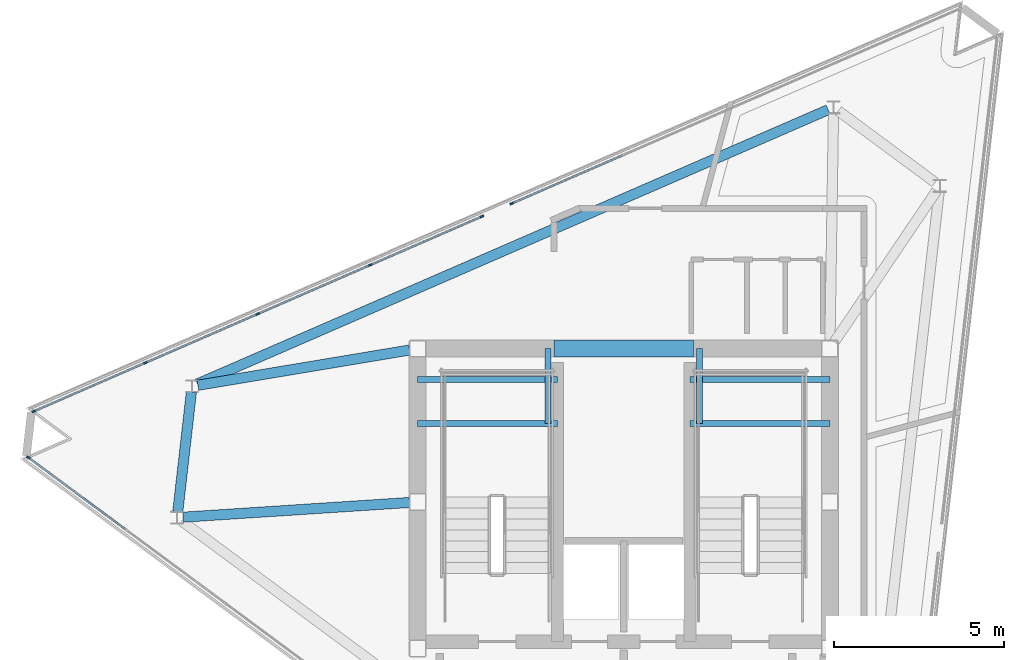
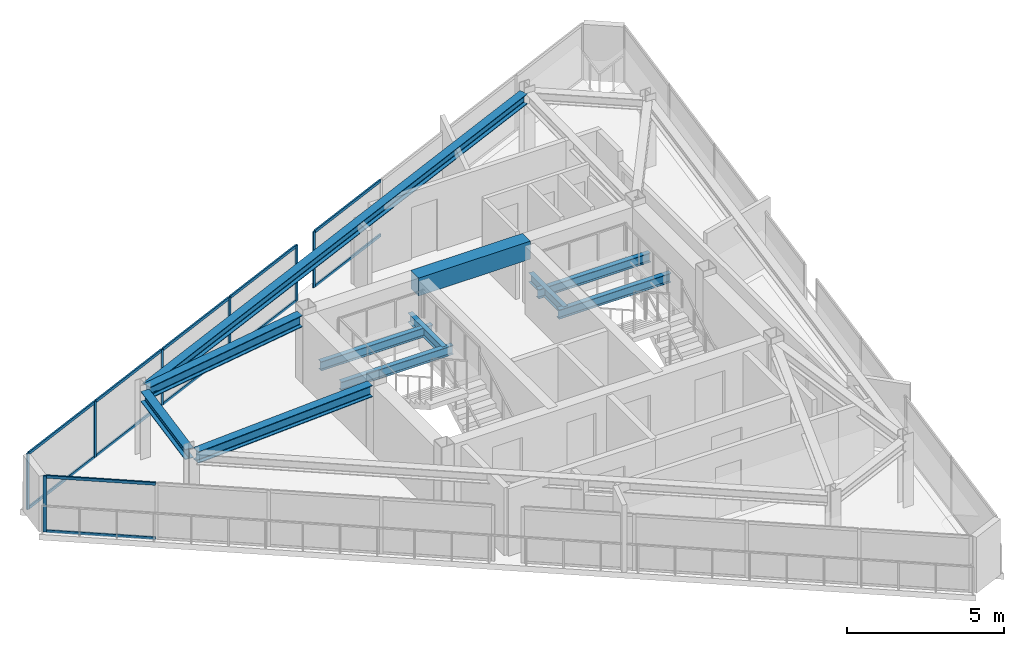
# One storey, part 4 of 9: 19 members, 11 beams, 3 elements without a shape of their own.
"""IFC4 building model written with IfcOpenShell, lengths in metres."""

from ifc_helpers import new_model, si_unit, direction, frame, origin, origin_2d, place, context, subcontext, project, spatial, rectangle, i_section, extrude, material, layer, layer_set, material_profile, profile_set, type_object, element, aggregate, save


model = new_model("IFC4")

# Units and contexts
model_context = context("Model", 3, precision=1e-05, world=origin(), true_north=direction((0.0, 1.0)))
body_context = subcontext(model_context, "Body", "Model", "MODEL_VIEW")
ifc_project = project(units=[si_unit("LENGTHUNIT", "METRE"), si_unit("AREAUNIT", "SQUARE_METRE"), si_unit("VOLUMEUNIT", "CUBIC_METRE"), si_unit("PLANEANGLEUNIT", "RADIAN"), si_unit("MASSUNIT", "GRAM", prefix="KILO")], contexts=[model_context])

# Site, building, storey
site_placement = place(None, origin())
site = spatial("IfcSite", under=ifc_project, at=site_placement, CompositionType="ELEMENT")
building_placement = place(site_placement, origin())
building = spatial("IfcBuilding", under=site, at=building_placement, Name="Rocaltana Carrier Exchange", CompositionType="ELEMENT")
storey_placement = place(building_placement, frame((0.0, 0.0, 246.239990234375)))
storey = spatial("IfcBuildingStorey", under=building, at=storey_placement, Name="L78", CompositionType="ELEMENT", Elevation=246.239990234375)

# Curtain wall, member
ifc_material_1 = material(Name="Aluminium 6063-T6", Category="aluminium")
ifc_layer = layer(ifc_material_1, 0.110107421875)
ifc_layer_set = layer_set([ifc_layer], Name="Aluminium 6063-T6")
curtain_wall_type = type_object("IfcCurtainWallType", Name="Crown Lantern Faceted Curtain Wall CW-06", PredefinedType="NOTDEFINED", material=ifc_layer_set)
curtain_wall_1_placement = place(storey_placement, origin())
curtain_wall_1 = element("IfcCurtainWall", 1, at=curtain_wall_1_placement, inside=storey, type_object=curtain_wall_type, Name="L78 CW-06 Run CW06-L78-F2S1", PredefinedType="NOTDEFINED")
ifc_material_2 = material(Name="Aluminium 6063-T6", Category="aluminium")
ifc_material_profile_1 = material_profile(ifc_material_2, rectangle(XDim=0.054931640625, YDim=0.110107421875, at=origin_2d()), Name="AL-55X110")
ifc_profile_set_1 = profile_set([ifc_material_profile_1], Name="Aluminium 6063-T6")
member_type_1 = type_object("IfcMemberType", Name="CW-06 Mullion AL-55X110", PredefinedType="MULLION", material=ifc_profile_set_1)
member_1_placement = place(storey_placement, frame((-3.288818359375, 8.761474609375, 0.0), z_axis=(0.0, 0.0, 1.0), x_axis=(0.398751504402, -0.917059015406, 0.0)))
member_1 = element("IfcMember", 2, at=member_1_placement, type_object=member_type_1, Name="CW-06 mullion 5", PredefinedType="MULLION", context=body_context, shape_type="SweptSolid", body=[
    extrude(rectangle(XDim=0.054931640625, YDim=0.110107421875, at=origin_2d()), origin(), (0.0, 0.0, 1.0), 2.16796875),
])

# Curtain wall, members
curtain_wall_2_placement = place(storey_placement, origin())
curtain_wall_2 = element("IfcCurtainWall", 3, at=curtain_wall_2_placement, inside=storey, type_object=curtain_wall_type, Name="L78 CW-06 Run CW06-L78-F2S2", PredefinedType="NOTDEFINED")
member_2_placement = place(storey_placement, frame((-4.164794921875, 8.380615234375, 0.0), z_axis=(0.0, 0.0, 1.0), x_axis=(0.398748964968, -0.917060119587, 0.0)))
member_2 = element("IfcMember", 4, at=member_2_placement, type_object=member_type_1, Name="CW-06 mullion 1", PredefinedType="MULLION", context=body_context, shape_type="SweptSolid", body=[
    extrude(rectangle(XDim=0.054931640625, YDim=0.110107421875, at=origin_2d()), origin(), (0.0, 0.0, 1.0), 2.16796875),
])
member_3_placement = place(storey_placement, frame((-7.44091796875, 6.956298828125, 0.0), z_axis=(0.0, 0.0, 1.0), x_axis=(0.398748964968, -0.917060119587, 0.0)))
member_3 = element("IfcMember", 5, at=member_3_placement, type_object=member_type_1, Name="CW-06 mullion 2", PredefinedType="MULLION", context=body_context, shape_type="SweptSolid", body=[
    extrude(rectangle(XDim=0.054931640625, YDim=0.110107421875, at=origin_2d()), origin(), (0.0, 0.0, 1.0), 2.16796875),
])
member_4_placement = place(storey_placement, frame((-10.742431640625, 5.520751953125, 0.0), z_axis=(0.0, 0.0, 1.0), x_axis=(0.398748964968, -0.917060119587, 0.0)))
member_4 = element("IfcMember", 6, at=member_4_placement, type_object=member_type_1, Name="CW-06 mullion 3", PredefinedType="MULLION", context=body_context, shape_type="SweptSolid", body=[
    extrude(rectangle(XDim=0.054931640625, YDim=0.110107421875, at=origin_2d()), origin(), (0.0, 0.0, 1.0), 2.16796875),
])
member_5_placement = place(storey_placement, frame((-14.043701171875, 4.085205078125, 0.0), z_axis=(0.0, 0.0, 1.0), x_axis=(0.398748964968, -0.917060119587, 0.0)))
member_5 = element("IfcMember", 7, at=member_5_placement, type_object=member_type_1, Name="CW-06 mullion 4", PredefinedType="MULLION", context=body_context, shape_type="SweptSolid", body=[
    extrude(rectangle(XDim=0.054931640625, YDim=0.110107421875, at=origin_2d()), origin(), (0.0, 0.0, 1.0), 2.16796875),
])
member_6_placement = place(storey_placement, frame((-17.320068359375, 2.66064453125, 0.0), z_axis=(0.0, 0.0, 1.0), x_axis=(0.398748964968, -0.917060119587, 0.0)))
member_6 = element("IfcMember", 8, at=member_6_placement, type_object=member_type_1, Name="CW-06 mullion 5", PredefinedType="MULLION", context=body_context, shape_type="SweptSolid", body=[
    extrude(rectangle(XDim=0.054931640625, YDim=0.110107421875, at=origin_2d()), origin(), (0.0, 0.0, 1.0), 2.16796875),
])

# Curtain wall, member
curtain_wall_3_placement = place(storey_placement, origin())
curtain_wall_3 = element("IfcCurtainWall", 9, at=curtain_wall_3_placement, inside=storey, type_object=curtain_wall_type, Name="L78 CW-06 Run CW06-L78-F3S1", PredefinedType="NOTDEFINED")
member_7_placement = place(storey_placement, frame((-17.474609375, 1.3037109375, 0.0), z_axis=(0.0, 0.0, 1.0), x_axis=(0.594818594609, 0.803859962623, 0.0)))
member_7 = element("IfcMember", 10, at=member_7_placement, type_object=member_type_1, Name="CW-06 mullion 1", PredefinedType="MULLION", context=body_context, shape_type="SweptSolid", body=[
    extrude(rectangle(XDim=0.054931640625, YDim=0.110107421875, at=origin_2d()), origin(), (0.0, 0.0, 1.0), 2.16796875),
])

# Member
ifc_material_3 = material(Name="Aluminium 6063-T6", Category="aluminium")
ifc_material_profile_2 = material_profile(ifc_material_3, rectangle(XDim=0.054931640625, YDim=0.110107421875, at=origin_2d()), Name="AL-55X110")
ifc_profile_set_2 = profile_set([ifc_material_profile_2], Name="Aluminium 6063-T6")
member_type_2 = type_object("IfcMemberType", Name="CW-06 Transom AL-55X110", PredefinedType="USERDEFINED", material=ifc_profile_set_2)
member_8_placement = place(storey_placement, frame((-0.037841796875, 10.175048828125, 0.027587890625), z_axis=(-0.917064538977, -0.39873880091, 0.0), x_axis=(0.39873880091, -0.917064538977, 0.0)))
member_8 = element("IfcMember", 11, at=member_8_placement, type_object=member_type_2, Name="CW-06 transom 4.1", ObjectType="TRANSOM", PredefinedType="USERDEFINED", context=body_context, shape_type="SweptSolid", body=[
    extrude(rectangle(XDim=0.054931640625, YDim=0.110107421875, at=origin_2d()), origin(), (0.0, 0.0, 1.0), 3.517578125),
])

member_9_placement = place(storey_placement, frame((-0.037841796875, 10.175048828125, 2.140625), z_axis=(-0.917064538977, -0.39873880091, 0.0), x_axis=(0.39873880091, -0.917064538977, 0.0)))
member_9 = element("IfcMember", 12, at=member_9_placement, type_object=member_type_2, Name="CW-06 transom 4.2", ObjectType="TRANSOM", PredefinedType="USERDEFINED", context=body_context, shape_type="SweptSolid", body=[
    extrude(rectangle(XDim=0.054931640625, YDim=0.110107421875, at=origin_2d()), origin(), (0.0, 0.0, 1.0), 3.517578125),
])

aggregate(curtain_wall_1, [member_1, member_8, member_9])

member_10_placement = place(storey_placement, frame((-4.18994140625, 8.369873046875, 0.027587890625), z_axis=(-0.917064538977, -0.39873880091, 0.0), x_axis=(0.39873880091, -0.917064538977, 0.0)))
member_10 = element("IfcMember", 13, at=member_10_placement, type_object=member_type_2, Name="CW-06 transom 1.1", ObjectType="TRANSOM", PredefinedType="USERDEFINED", context=body_context, shape_type="SweptSolid", body=[
    extrude(rectangle(XDim=0.054931640625, YDim=0.110107421875, at=origin_2d()), origin(), (0.0, 0.0, 1.0), 3.517578125),
])

member_11_placement = place(storey_placement, frame((-4.18994140625, 8.369873046875, 2.140625), z_axis=(-0.917064538977, -0.39873880091, 0.0), x_axis=(0.39873880091, -0.917064538977, 0.0)))
member_11 = element("IfcMember", 14, at=member_11_placement, type_object=member_type_2, Name="CW-06 transom 1.2", ObjectType="TRANSOM", PredefinedType="USERDEFINED", context=body_context, shape_type="SweptSolid", body=[
    extrude(rectangle(XDim=0.054931640625, YDim=0.110107421875, at=origin_2d()), origin(), (0.0, 0.0, 1.0), 3.517578125),
])

member_12_placement = place(storey_placement, frame((-7.466064453125, 6.9453125, 0.027587890625), z_axis=(-0.917059106947, -0.398751293874, 0.0), x_axis=(0.398751293874, -0.917059106947, 0.0)))
member_12 = element("IfcMember", 15, at=member_12_placement, type_object=member_type_2, Name="CW-06 transom 2.1", ObjectType="TRANSOM", PredefinedType="USERDEFINED", context=body_context, shape_type="SweptSolid", body=[
    extrude(rectangle(XDim=0.054931640625, YDim=0.110107421875, at=origin_2d()), origin(), (0.0, 0.0, 1.0), 3.544921875),
])

member_13_placement = place(storey_placement, frame((-7.466064453125, 6.9453125, 2.140625), z_axis=(-0.917059106947, -0.398751293874, 0.0), x_axis=(0.398751293874, -0.917059106947, 0.0)))
member_13 = element("IfcMember", 16, at=member_13_placement, type_object=member_type_2, Name="CW-06 transom 2.2", ObjectType="TRANSOM", PredefinedType="USERDEFINED", context=body_context, shape_type="SweptSolid", body=[
    extrude(rectangle(XDim=0.054931640625, YDim=0.110107421875, at=origin_2d()), origin(), (0.0, 0.0, 1.0), 3.544921875),
])

member_14_placement = place(storey_placement, frame((-10.767578125, 5.509765625, 0.027587890625), z_axis=(-0.917059106947, -0.398751293874, 0.0), x_axis=(0.398751293874, -0.917059106947, 0.0)))
member_14 = element("IfcMember", 17, at=member_14_placement, type_object=member_type_2, Name="CW-06 transom 3.1", ObjectType="TRANSOM", PredefinedType="USERDEFINED", context=body_context, shape_type="SweptSolid", body=[
    extrude(rectangle(XDim=0.054931640625, YDim=0.110107421875, at=origin_2d()), origin(), (0.0, 0.0, 1.0), 3.544921875),
])

member_15_placement = place(storey_placement, frame((-10.767578125, 5.509765625, 2.140625), z_axis=(-0.917059106947, -0.398751293874, 0.0), x_axis=(0.398751293874, -0.917059106947, 0.0)))
member_15 = element("IfcMember", 18, at=member_15_placement, type_object=member_type_2, Name="CW-06 transom 3.2", ObjectType="TRANSOM", PredefinedType="USERDEFINED", context=body_context, shape_type="SweptSolid", body=[
    extrude(rectangle(XDim=0.054931640625, YDim=0.110107421875, at=origin_2d()), origin(), (0.0, 0.0, 1.0), 3.544921875),
])

member_16_placement = place(storey_placement, frame((-14.069091796875, 4.07421875, 0.027587890625), z_axis=(-0.917053502844, -0.398764182095, 0.0), x_axis=(0.398764182095, -0.917053502844, 0.0)))
member_16 = element("IfcMember", 19, at=member_16_placement, type_object=member_type_2, Name="CW-06 transom 4.1", ObjectType="TRANSOM", PredefinedType="USERDEFINED", context=body_context, shape_type="SweptSolid", body=[
    extrude(rectangle(XDim=0.054931640625, YDim=0.110107421875, at=origin_2d()), origin(), (0.0, 0.0, 1.0), 3.517333984375),
])

member_17_placement = place(storey_placement, frame((-14.069091796875, 4.07421875, 2.140625), z_axis=(-0.917053502844, -0.398764182095, 0.0), x_axis=(0.398764182095, -0.917053502844, 0.0)))
member_17 = element("IfcMember", 20, at=member_17_placement, type_object=member_type_2, Name="CW-06 transom 4.2", ObjectType="TRANSOM", PredefinedType="USERDEFINED", context=body_context, shape_type="SweptSolid", body=[
    extrude(rectangle(XDim=0.054931640625, YDim=0.110107421875, at=origin_2d()), origin(), (0.0, 0.0, 1.0), 3.517333984375),
])

aggregate(curtain_wall_2, [member_2, member_3, member_4, member_5, member_6, member_10, member_11, member_12, member_13, member_14, member_15, member_16, member_17])

member_18_placement = place(storey_placement, frame((-17.452392578125, 1.287353515625, 0.027587890625), z_axis=(0.803839907848, -0.594845696421, 0.0), x_axis=(0.594845696421, 0.803839907848, 0.0)))
member_18 = element("IfcMember", 21, at=member_18_placement, type_object=member_type_2, Name="CW-06 transom 1.1", ObjectType="TRANSOM", PredefinedType="USERDEFINED", context=body_context, shape_type="SweptSolid", body=[
    extrude(rectangle(XDim=0.054931640625, YDim=0.110107421875, at=origin_2d()), origin(), (0.0, 0.0, 1.0), 3.517333984375),
])

member_19_placement = place(storey_placement, frame((-17.452392578125, 1.287353515625, 2.140625), z_axis=(0.803839907848, -0.594845696421, 0.0), x_axis=(0.594845696421, 0.803839907848, 0.0)))
member_19 = element("IfcMember", 22, at=member_19_placement, type_object=member_type_2, Name="CW-06 transom 1.2", ObjectType="TRANSOM", PredefinedType="USERDEFINED", context=body_context, shape_type="SweptSolid", body=[
    extrude(rectangle(XDim=0.054931640625, YDim=0.110107421875, at=origin_2d()), origin(), (0.0, 0.0, 1.0), 3.517333984375),
])

aggregate(curtain_wall_3, [member_7, member_18, member_19])

# Beams
ifc_material_4 = material(Name="Concrete C60/75", Category="concrete")
ifc_material_profile_3 = material_profile(ifc_material_4, rectangle(XDim=0.5, YDim=0.699951171875, at=origin_2d()), Name="RC-BM-500X700")
ifc_profile_set_3 = profile_set([ifc_material_profile_3], Name="Concrete C60/75")
beam_type_1 = type_object("IfcBeamType", Name="Core Coupling Lintel 500x700", PredefinedType="LINTEL", material=ifc_profile_set_3)
beam_1_placement = place(storey_placement, frame((-2.050048828125, 4.5, 2.298095703125), z_axis=(1.0, 0.0, 0.0), x_axis=(0.0, 1.0, 0.0)))
element("IfcBeam", 23, at=beam_1_placement, inside=storey, type_object=beam_type_1, Name="L78 Core Coupling Lintel CL-N", PredefinedType="LINTEL", context=body_context, shape_type="SweptSolid", body=[
    extrude(rectangle(XDim=0.5, YDim=0.699951171875, at=origin_2d()), origin(), (0.0, 0.0, 1.0), 4.10009765625),
])
ifc_material_5 = material(Name="Steel S460", Category="steel")
ifc_material_profile_4 = material_profile(ifc_material_5, i_section(OverallWidth=0.300048828125, OverallDepth=0.449951171875, WebThickness=0.013916015625, FlangeThickness=0.02587890625, FilletRadius=0.027099609375, at=origin_2d()), Name="HEB450")
ifc_profile_set_4 = profile_set([ifc_material_profile_4], Name="Steel S460")
beam_type_2 = type_object("IfcBeamType", Name="Crown Frame Rafter HEB450", PredefinedType="BEAM", material=ifc_profile_set_4)
beam_2_placement = place(storey_placement, frame((-6.288818359375, 4.460205078125, 2.423095703125), z_axis=(-0.986396018954, -0.164386416079, 0.0), x_axis=(0.164386416079, -0.986396018954, 0.0)))
element("IfcBeam", 24, at=beam_2_placement, inside=storey, type_object=beam_type_2, Name="CRG-RAD-L78-04", PredefinedType="BEAM", context=body_context, shape_type="SweptSolid", body=[
    extrude(i_section(OverallWidth=0.300048828125, OverallDepth=0.449951171875, WebThickness=0.013916015625, FlangeThickness=0.02587890625, FilletRadius=0.027099609375, at=origin_2d()), origin(), (0.0, 0.0, 1.0), 6.298583984375),
])
beam_3_placement = place(storey_placement, frame((-6.29150390625, -0.015625, 2.423095703125), z_axis=(-0.997900854841, -0.064760203118, 0.0), x_axis=(0.064760203118, -0.997900854841, 0.0)))
element("IfcBeam", 25, at=beam_3_placement, inside=storey, type_object=beam_type_2, Name="CRG-RAD-L78-05", PredefinedType="BEAM", context=body_context, shape_type="SweptSolid", body=[
    extrude(i_section(OverallWidth=0.300048828125, OverallDepth=0.449951171875, WebThickness=0.013916015625, FlangeThickness=0.02587890625, FilletRadius=0.027099609375, at=origin_2d()), origin(), (0.0, 0.0, 1.0), 6.661376953125),
])
ifc_material_6 = material(Name="Steel S460", Category="steel")
ifc_material_profile_5 = material_profile(ifc_material_6, i_section(OverallWidth=0.300048828125, OverallDepth=0.39990234375, WebThickness=0.013427734375, FlangeThickness=0.02392578125, FilletRadius=0.027099609375, at=origin_2d()), Name="HEB400")
ifc_profile_set_5 = profile_set([ifc_material_profile_5], Name="Steel S460")
beam_type_3 = type_object("IfcBeamType", Name="Crown Ring Beam HEB400", PredefinedType="BEAM", material=ifc_profile_set_5)
beam_4_placement = place(storey_placement, frame((5.999755859375, 11.515380859375, 2.447998046875), z_axis=(-0.917063134641, -0.398742030744, 0.0), x_axis=(0.398742030744, -0.917063134641, 0.0)))
element("IfcBeam", 26, at=beam_4_placement, inside=storey, type_object=beam_type_3, Name="CRG-RING-L78-03", PredefinedType="BEAM", context=body_context, shape_type="SweptSolid", body=[
    extrude(i_section(OverallWidth=0.300048828125, OverallDepth=0.39990234375, WebThickness=0.013427734375, FlangeThickness=0.02392578125, FilletRadius=0.027099609375, at=origin_2d()), origin(), (0.0, 0.0, 1.0), 20.18798828125),
])
beam_5_placement = place(storey_placement, frame((-12.693115234375, 3.223388671875, 2.447998046875), z_axis=(-0.11317028036, -0.993575607412, 0.0), x_axis=(0.993575607412, -0.11317028036, 0.0)))
element("IfcBeam", 27, at=beam_5_placement, inside=storey, type_object=beam_type_3, Name="CRG-RING-L78-04", PredefinedType="BEAM", context=body_context, shape_type="SweptSolid", body=[
    extrude(i_section(OverallWidth=0.300048828125, OverallDepth=0.39990234375, WebThickness=0.013427734375, FlangeThickness=0.02392578125, FilletRadius=0.027099609375, at=origin_2d()), origin(), (0.0, 0.0, 1.0), 3.531494140625),
])
ifc_material_7 = material(Name="Steel S355", Category="steel")
ifc_material_profile_6 = material_profile(ifc_material_7, i_section(OverallWidth=0.172119140625, OverallDepth=0.35791015625, WebThickness=0.0078125, FlangeThickness=0.01318359375, FilletRadius=0.011962890625, at=origin_2d()), Name="W14X38")
ifc_profile_set_6 = profile_set([ifc_material_profile_6], Name="Steel S355")
beam_type_4 = type_object("IfcBeamType", Name="Floor Joist W14X38", PredefinedType="JOIST", material=ifc_profile_set_6)
for number, where, z_axis, x_axis, name in (
    (28, (-6.050048828125, 2.300048828125, 1.06103515625), (1.0, 0.0, 0.0), (0.0, 1.0, 0.0), "L78 ST-1 Landing Carrier 1"),
    (29, (1.93994140625, 2.300048828125, 1.06103515625), (1.0, 0.0, 0.0), (0.0, 1.0, 0.0), "L78 ST-2 Landing Carrier 1"),
    (30, (-6.050048828125, 3.60009765625, 1.06103515625), (1.0, 0.0, 0.0), (0.0, 1.0, 0.0), "L78 ST-1 Landing Carrier 2"),
    (31, (1.93994140625, 3.60009765625, 1.06103515625), (1.0, 0.0, 0.0), (0.0, 1.0, 0.0), "L78 ST-2 Landing Carrier 2"),
):
    element("IfcBeam", number, at=place(storey_placement, frame(where, z_axis=z_axis, x_axis=x_axis)), inside=storey, type_object=beam_type_4, Name=name, PredefinedType="JOIST", context=body_context, shape_type="SweptSolid", body=[
        extrude(i_section(OverallWidth=0.172119140625, OverallDepth=0.35791015625, WebThickness=0.0078125, FlangeThickness=0.01318359375, FilletRadius=0.011962890625, at=origin_2d()), origin(), (0.0, 0.0, 1.0), 4.110107421875),
    ])
for number, where, z_axis, x_axis, name in (
    (32, (-2.219970703125, 2.300048828125, 1.06103515625), (0.0, 1.0, 0.0), (-1.0, 0.0, 0.0), "L78 ST-1 Landing Cross Trimmer"),
    (33, (2.219970703125, 2.300048828125, 1.06103515625), (0.0, 1.0, 0.0), (-1.0, 0.0, 0.0), "L78 ST-2 Landing Cross Trimmer"),
):
    element("IfcBeam", number, at=place(storey_placement, frame(where, z_axis=z_axis, x_axis=x_axis)), inside=storey, type_object=beam_type_4, Name=name, PredefinedType="JOIST", context=body_context, shape_type="SweptSolid", body=[
        extrude(i_section(OverallWidth=0.172119140625, OverallDepth=0.35791015625, WebThickness=0.0078125, FlangeThickness=0.01318359375, FilletRadius=0.011962890625, at=origin_2d()), origin(), (0.0, 0.0, 1.0), 2.199951171875),
    ])

save(model, "model.ifc")
